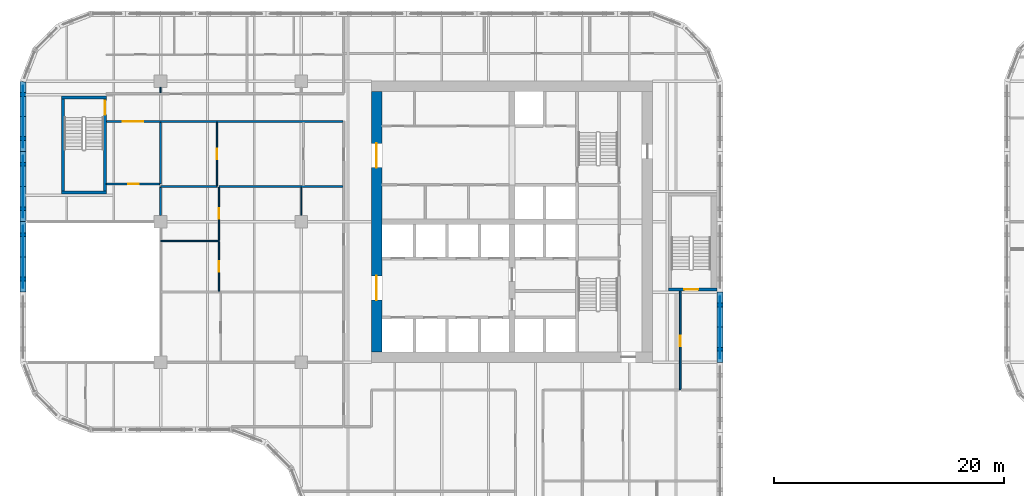
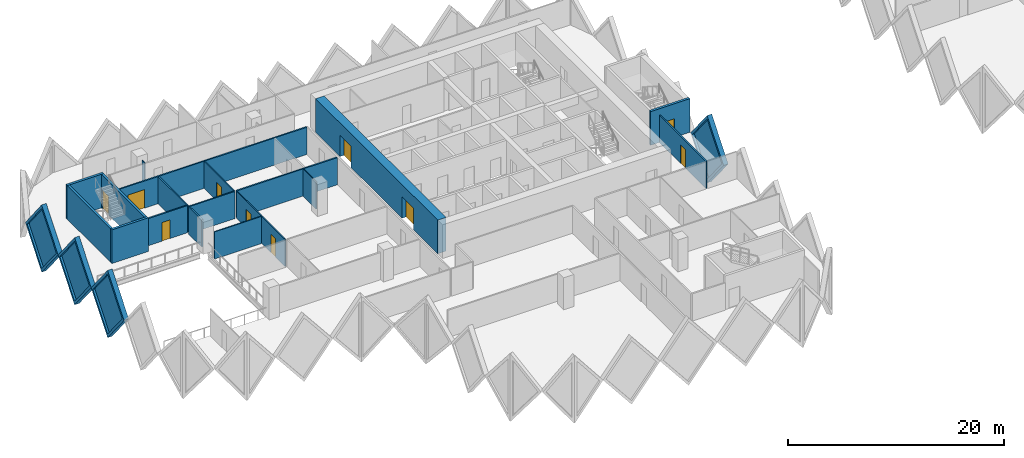
# One storey, part 7 of 18: 23 walls, 10 doors, 4 plates, 14 openings.
"""IFC4 building model written with IfcOpenShell, lengths in metres."""

from ifc_helpers import new_model, si_unit, direction, frame, frame_2d, origin, place, context, subcontext, project, spatial, polyline, rectangle, outline, extrude, faceted_brep, source, transform, mapped, material, layer, layer_set, type_object, element, fill, save


model = new_model("IFC4")

# Units and contexts
model_context = context("Model", 3, precision=1e-05, world=origin(), true_north=direction((0.0, 1.0)))
body_context = subcontext(model_context, "Body", "Model", "MODEL_VIEW")
ifc_project = project(units=[si_unit("LENGTHUNIT", "METRE"), si_unit("AREAUNIT", "SQUARE_METRE"), si_unit("VOLUMEUNIT", "CUBIC_METRE"), si_unit("PLANEANGLEUNIT", "RADIAN"), si_unit("MASSUNIT", "GRAM", prefix="KILO")], contexts=[model_context])

# Site, building, storey
site_placement = place(None, origin())
site = spatial("IfcSite", under=ifc_project, at=site_placement, CompositionType="ELEMENT")
building_placement = place(site_placement, origin())
building = spatial("IfcBuilding", under=site, at=building_placement, Name="Tessera Gate Towers", CompositionType="ELEMENT")
storey_placement = place(building_placement, frame((0.0, 0.0, 56.199951171875)))
storey = spatial("IfcBuildingStorey", under=building, at=storey_placement, Name="L13", CompositionType="ELEMENT", Elevation=56.199951171875)

# Walls
ifc_material_1 = material(Name="Concrete C40/50", Category="concrete")
ifc_layer_1 = layer(ifc_material_1, 0.25)
ifc_layer_set_1 = layer_set([ifc_layer_1], Name="CORE ENCLOSURE WALL 250")
wall_type_1 = type_object("IfcWallType", Name="CORE ENCLOSURE WALL 250", PredefinedType="SOLIDWALL", material=ifc_layer_set_1)
wall_1_placement = place(storey_placement, frame((7.5, 39.125, 0.0), z_axis=(0.0, 0.0, 1.0), x_axis=(-1.0, 0.0, 0.0)))
element("IfcWall", 1, at=wall_1_placement, inside=storey, type_object=wall_type_1, Name="L13 ST3 enclosure wall", PredefinedType="SOLIDWALL", context=body_context, shape_type="SweptSolid", body=[
    extrude(rectangle(XDim=3.89990234375, YDim=0.25, at=frame_2d((1.949951171875, 0.0))), origin(), (0.0, 0.0, 1.0), 3.800048828125),
])
wall_2_placement = place(storey_placement, frame((3.72509765625, 39.25, 0.0), z_axis=(0.0, 0.0, 1.0), x_axis=(0.0, 1.0, 0.0)))
element("IfcWall", 2, at=wall_2_placement, inside=storey, type_object=wall_type_1, Name="L13 ST3 enclosure wall", PredefinedType="SOLIDWALL", context=body_context, shape_type="SweptSolid", body=[
    extrude(rectangle(XDim=8.0, YDim=0.25, at=frame_2d((4.0, 0.0))), origin(), (0.0, 0.0, 1.0), 3.800048828125),
])
wall_3_placement = place(storey_placement, frame((3.60009765625, 47.375, 0.0), z_axis=(0.0, 0.0, 1.0), x_axis=(1.0, 0.0, 0.0)))
element("IfcWall", 3, at=wall_3_placement, inside=storey, type_object=wall_type_1, Name="L13 ST3 enclosure wall", PredefinedType="SOLIDWALL", context=body_context, shape_type="SweptSolid", body=[
    extrude(rectangle(XDim=3.89990234375, YDim=0.25, at=frame_2d((1.949951171875, 0.0))), origin(), (0.0, 0.0, 1.0), 3.800048828125),
])

# Wall, opening, door
wall_4_placement = place(storey_placement, frame((7.375, 47.25, 0.0), z_axis=(0.0, 0.0, 1.0), x_axis=(0.0, -1.0, 0.0)))
wall_4 = element("IfcWall", 4, at=wall_4_placement, inside=storey, type_object=wall_type_1, Name="L13 ST3 enclosure wall", PredefinedType="SOLIDWALL", context=body_context, shape_type="SweptSolid", body=[
    extrude(rectangle(XDim=8.0, YDim=0.25, at=frame_2d((4.0, 0.0))), origin(), (0.0, 0.0, 1.0), 3.800048828125),
])
shared_shape_1 = source(origin(), body_context, "Body", "SweptSolid", [
    extrude(rectangle(XDim=1.199951171875, YDim=2.10009765625, at=frame_2d((0.60009765625, 1.050048828125))), frame((0.0, 0.135009765625, 0.0), z_axis=(0.0, -1.0, 0.0), x_axis=(1.0, 0.0, 0.0)), (0.0, 0.0, 1.0), 0.27001953125),
])
opening_1_placement = place(wall_4_placement, frame((0.14990234375, 0.0, 0.0)))
opening_1 = element("IfcOpeningElement", 5, at=opening_1_placement, cuts=wall_4, Name="Opening SD-ST3-1", PredefinedType="OPENING", context=body_context, shape_type="MappedRepresentation", body=[
    mapped(shared_shape_1, transform((0.0, 0.0, 0.0), scale=1.0)),
])
ifc_material_2 = material(Name="Hollow steel fire door", Category="steel")
door_type_1 = type_object("IfcDoorType", Name="CORE DOOR SD 1200x2100", OperationType="NOTDEFINED", PredefinedType="DOOR", material=ifc_material_2)
shared_shape_2 = source(origin(), body_context, "Body", "SweptSolid", [
    extrude(rectangle(XDim=1.199951171875, YDim=2.10009765625, at=frame_2d((0.60009765625, 1.050048828125))), frame((0.0, 0.02490234375, 0.0), z_axis=(0.0, -1.0, 0.0), x_axis=(1.0, 0.0, 0.0)), (0.0, 0.0, 1.0), 0.050048828125),
])
door_1_placement = place(opening_1_placement, origin())
door_1 = element("IfcDoor", 6, at=door_1_placement, inside=storey, type_object=door_type_1, Name="Stair door", OperationType="SINGLE_SWING_LEFT", OverallHeight=2.10009765625, OverallWidth=1.199951171875, PredefinedType="DOOR", context=body_context, shape_type="MappedRepresentation", body=[
    mapped(shared_shape_2, transform((0.0, 0.0, 0.0), scale=1.0)),
])
fill(opening_1, door_1)

wall_5_placement = place(storey_placement, frame((60.5, 30.72509765625, 0.0), z_axis=(0.0, 0.0, 1.0), x_axis=(-1.0, 0.0, 0.0)))
wall_5 = element("IfcWall", 7, at=wall_5_placement, inside=storey, type_object=wall_type_1, Name="L13 ST5 enclosure wall", PredefinedType="SOLIDWALL", context=body_context, shape_type="SweptSolid", body=[
    extrude(rectangle(XDim=4.199951171875, YDim=0.25, at=frame_2d((2.10009765625, 0.0))), origin(), (0.0, 0.0, 1.0), 3.800048828125),
])
opening_2_placement = place(wall_5_placement, frame((1.64990234375, 0.0, 0.0)))
opening_2 = element("IfcOpeningElement", 8, at=opening_2_placement, cuts=wall_5, Name="Opening SD-ST5-1", PredefinedType="OPENING", context=body_context, shape_type="MappedRepresentation", body=[
    mapped(shared_shape_1, transform((0.0, 0.0, 0.0), scale=1.0)),
])
door_2_placement = place(opening_2_placement, origin())
door_2 = element("IfcDoor", 9, at=door_2_placement, inside=storey, type_object=door_type_1, Name="Stair door", OperationType="SINGLE_SWING_RIGHT", OverallHeight=2.10009765625, OverallWidth=1.199951171875, PredefinedType="DOOR", context=body_context, shape_type="MappedRepresentation", body=[
    mapped(shared_shape_2, transform((0.0, 0.0, 0.0), scale=1.0)),
])
fill(opening_2, door_2)

# Wall, openings, doors
ifc_material_3 = material(Name="Concrete C70/85", Category="concrete")
ifc_layer_2 = layer(ifc_material_3, 0.89990234375)
ifc_layer_set_2 = layer_set([ifc_layer_2], Name="CORE SHEAR WALL 900 C70/85")
wall_type_2 = type_object("IfcWallType", Name="CORE SHEAR WALL 900 C70/85", PredefinedType="SHEAR", material=ifc_layer_set_2)
wall_6_placement = place(storey_placement, frame((30.949951171875, 25.300048828125, 0.0), z_axis=(0.0, 0.0, 1.0), x_axis=(0.0, 1.0, 0.0)))
wall_6 = element("IfcWall", 10, at=wall_6_placement, inside=storey, type_object=wall_type_2, Name="Core wall W L13", PredefinedType="SHEAR", context=body_context, shape_type="SweptSolid", body=[
    extrude(rectangle(XDim=22.599853515625, YDim=0.89990234375, at=frame_2d((11.2998046875, 0.0))), origin(), (0.0, 0.0, 1.0), 3.800048828125),
])
shared_shape_3 = source(origin(), body_context, "Body", "SweptSolid", [
    extrude(rectangle(XDim=2.10009765625, YDim=2.39990234375, at=frame_2d((1.050048828125, 1.199951171875))), frame((0.0, 0.4599609375, 0.0), z_axis=(0.0, -1.0, 0.0), x_axis=(1.0, 0.0, 0.0)), (0.0, 0.0, 1.0), 0.919921875),
])
opening_3_placement = place(wall_6_placement, frame((4.5, 0.0, 0.0)))
opening_3 = element("IfcOpeningElement", 11, at=opening_3_placement, cuts=wall_6, Name="Opening DD-T1-09-02", PredefinedType="OPENING", context=body_context, shape_type="MappedRepresentation", body=[
    mapped(shared_shape_3, transform((0.0, 0.0, 0.0), scale=1.0)),
])
opening_4_placement = place(wall_6_placement, frame((16.0, 0.0, 0.0)))
opening_4 = element("IfcOpeningElement", 12, at=opening_4_placement, cuts=wall_6, Name="Opening DD-T1-09-03", PredefinedType="OPENING", context=body_context, shape_type="MappedRepresentation", body=[
    mapped(shared_shape_3, transform((0.0, 0.0, 0.0), scale=1.0)),
])
ifc_material_4 = material(Name="Hollow steel fire door", Category="steel")
door_type_2 = type_object("IfcDoorType", Name="CORE DOOR DD 2100x2400", OperationType="NOTDEFINED", PredefinedType="DOOR", material=ifc_material_4)
shared_shape_4 = source(origin(), body_context, "Body", "SweptSolid", [
    extrude(rectangle(XDim=2.10009765625, YDim=2.39990234375, at=frame_2d((1.050048828125, 1.199951171875))), frame((0.0, 0.02490234375, 0.0), z_axis=(0.0, -1.0, 0.0), x_axis=(1.0, 0.0, 0.0)), (0.0, 0.0, 1.0), 0.050048828125),
])
door_3_placement = place(opening_3_placement, origin())
door_3 = element("IfcDoor", 13, at=door_3_placement, inside=storey, type_object=door_type_2, Name="Core entrance door", OperationType="DOUBLE_DOOR_SINGLE_SWING", OverallHeight=2.39990234375, OverallWidth=2.10009765625, PredefinedType="DOOR", context=body_context, shape_type="MappedRepresentation", body=[
    mapped(shared_shape_4, transform((0.0, 0.0, 0.0), scale=1.0)),
])
fill(opening_3, door_3)
door_4_placement = place(opening_4_placement, origin())
door_4 = element("IfcDoor", 14, at=door_4_placement, inside=storey, type_object=door_type_2, Name="Core entrance door", OperationType="DOUBLE_DOOR_SINGLE_SWING", OverallHeight=2.39990234375, OverallWidth=2.10009765625, PredefinedType="DOOR", context=body_context, shape_type="MappedRepresentation", body=[
    mapped(shared_shape_4, transform((0.0, 0.0, 0.0), scale=1.0)),
])
fill(opening_4, door_4)

# Wall, opening, door
ifc_material_5 = material(Name="Gypsum board on steel studs, mineral wool", Category="steel")
ifc_layer_3 = layer(ifc_material_5, 0.14990234375)
ifc_layer_set_3 = layer_set([ifc_layer_3], Name="CORRIDOR WALL 150")
wall_type_3 = type_object("IfcWallType", Name="CORRIDOR WALL 150", PredefinedType="PARTITIONING", material=ifc_layer_set_3)
wall_7_placement = place(storey_placement, frame((57.300048828125, 30.60009765625, 0.0), z_axis=(0.0, 0.0, 1.0), x_axis=(0.0, -1.0, 0.0)))
wall_7 = element("IfcWall", 15, at=wall_7_placement, inside=storey, type_object=wall_type_3, Name="T1-L13-PW-019", PredefinedType="PARTITIONING", context=body_context, shape_type="SweptSolid", body=[
    extrude(rectangle(XDim=8.60009765625, YDim=0.14990234375, at=frame_2d((4.300048828125, 0.0))), origin(), (0.0, 0.0, 1.0), 3.067138671875),
])
shared_shape_5 = source(origin(), body_context, "Body", "SweptSolid", [
    extrude(rectangle(XDim=0.89990234375, YDim=2.10009765625, at=frame_2d((0.449951171875, 1.050048828125))), frame((0.0, 0.0849609375, 0.0), z_axis=(0.0, -1.0, 0.0), x_axis=(1.0, 0.0, 0.0)), (0.0, 0.0, 1.0), 0.169921875),
])
opening_5_placement = place(wall_7_placement, frame((3.89990234375, 0.0, 0.0)))
opening_5 = element("IfcOpeningElement", 16, at=opening_5_placement, cuts=wall_7, Name="Opening D890FD60-A05-04", PredefinedType="OPENING", context=body_context, shape_type="MappedRepresentation", body=[
    mapped(shared_shape_5, transform((0.0, 0.0, 0.0), scale=1.0)),
])
ifc_material_6 = material(Name="Timber door leaf in steel frame", Category="steel")
door_type_3 = type_object("IfcDoorType", Name="CORRIDOR DOOR 900 FD60", OperationType="NOTDEFINED", PredefinedType="DOOR", material=ifc_material_6)
shared_shape_6 = source(origin(), body_context, "Body", "SweptSolid", [
    extrude(rectangle(XDim=0.89990234375, YDim=2.10009765625, at=frame_2d((0.449951171875, 1.050048828125))), frame((0.0, 0.02490234375, 0.0), z_axis=(0.0, -1.0, 0.0), x_axis=(1.0, 0.0, 0.0)), (0.0, 0.0, 1.0), 0.050048828125),
])
door_5_placement = place(opening_5_placement, origin())
door_5 = element("IfcDoor", 17, at=door_5_placement, inside=storey, type_object=door_type_3, Name="T1-L13-PD-021", OperationType="SINGLE_SWING_RIGHT", OverallHeight=2.10009765625, OverallWidth=0.89990234375, PredefinedType="DOOR", context=body_context, shape_type="MappedRepresentation", body=[
    mapped(shared_shape_6, transform((0.0, 0.0, 0.0), scale=1.0)),
])
fill(opening_5, door_5)

wall_8_placement = place(storey_placement, frame((28.02392578125, 45.300048828125, 0.0), z_axis=(0.0, 0.0, 1.0), x_axis=(-1.0, 0.0, 0.0)))
wall_8 = element("IfcWall", 18, at=wall_8_placement, inside=storey, type_object=wall_type_3, Name="T1-L13-PW-037", PredefinedType="PARTITIONING", context=body_context, shape_type="SweptSolid", body=[
    extrude(rectangle(XDim=20.52392578125, YDim=0.14990234375, at=frame_2d((10.261962890625, 0.0))), origin(), (0.0, 0.0, 1.0), 3.067138671875),
])
shared_shape_7 = source(origin(), body_context, "Body", "SweptSolid", [
    extrude(rectangle(XDim=1.800048828125, YDim=2.10009765625, at=frame_2d((0.89990234375, 1.050048828125))), frame((0.0, 0.0849609375, 0.0), z_axis=(0.0, -1.0, 0.0), x_axis=(1.0, 0.0, 0.0)), (0.0, 0.0, 1.0), 0.169921875),
])
opening_6_placement = place(wall_8_placement, frame((17.323974609375, 0.0, 0.0)))
opening_6 = element("IfcOpeningElement", 19, at=opening_6_placement, cuts=wall_8, Name="Opening D2180FD60-A05-01", PredefinedType="OPENING", context=body_context, shape_type="MappedRepresentation", body=[
    mapped(shared_shape_7, transform((0.0, 0.0, 0.0), scale=1.0)),
])
ifc_material_7 = material(Name="Timber door leaf in steel frame", Category="steel")
door_type_4 = type_object("IfcDoorType", Name="TENANCY ENTRANCE DOUBLE DOOR 1800 FD60", OperationType="NOTDEFINED", PredefinedType="DOOR", material=ifc_material_7)
shared_shape_8 = source(origin(), body_context, "Body", "SweptSolid", [
    extrude(rectangle(XDim=1.800048828125, YDim=2.10009765625, at=frame_2d((0.89990234375, 1.050048828125))), frame((0.0, 0.02490234375, 0.0), z_axis=(0.0, -1.0, 0.0), x_axis=(1.0, 0.0, 0.0)), (0.0, 0.0, 1.0), 0.050048828125),
])
door_6_placement = place(opening_6_placement, origin())
door_6 = element("IfcDoor", 20, at=door_6_placement, inside=storey, type_object=door_type_4, Name="T1-L13-PD-007", OperationType="DOUBLE_DOOR_SINGLE_SWING", OverallHeight=2.10009765625, OverallWidth=1.800048828125, PredefinedType="DOOR", context=body_context, shape_type="MappedRepresentation", body=[
    mapped(shared_shape_8, transform((0.0, 0.0, 0.0), scale=1.0)),
])
fill(opening_6, door_6)

ifc_material_8 = material(Name="Gypsum board on steel studs", Category="steel")
ifc_layer_4 = layer(ifc_material_8, 0.10009765625)
ifc_layer_set_4 = layer_set([ifc_layer_4], Name="PARTITION 100")
wall_type_4 = type_object("IfcWallType", Name="PARTITION 100", PredefinedType="PARTITIONING", material=ifc_layer_set_4)
wall_9_placement = place(storey_placement, frame((17.27490234375, 30.575927734375, 0.0), z_axis=(0.0, 0.0, 1.0), x_axis=(0.0, 1.0, 0.0)))
wall_9 = element("IfcWall", 21, at=wall_9_placement, inside=storey, type_object=wall_type_4, Name="T1-L13-PW-026", PredefinedType="PARTITIONING", context=body_context, shape_type="SweptSolid", body=[
    extrude(rectangle(XDim=4.29345703125, YDim=0.10009765625, at=frame_2d((2.146728515625, 0.0))), origin(), (0.0, 0.0, 1.0), 3.067138671875),
])
shared_shape_9 = source(origin(), body_context, "Body", "SweptSolid", [
    extrude(rectangle(XDim=0.89990234375, YDim=2.10009765625, at=frame_2d((0.449951171875, 1.050048828125))), frame((0.0, 0.06005859375, 0.0), z_axis=(0.0, -1.0, 0.0), x_axis=(1.0, 0.0, 0.0)), (0.0, 0.0, 1.0), 0.1201171875),
])
opening_7_placement = place(wall_9_placement, frame((1.699951171875, 0.0, 0.0)))
opening_7 = element("IfcOpeningElement", 22, at=opening_7_placement, cuts=wall_9, Name="Opening D190-A05-03", PredefinedType="OPENING", context=body_context, shape_type="MappedRepresentation", body=[
    mapped(shared_shape_9, transform((0.0, 0.0, 0.0), scale=1.0)),
])
ifc_material_9 = material(Name="Timber door leaf in steel frame", Category="steel")
door_type_5 = type_object("IfcDoorType", Name="INTERNAL DOOR 900 NOT RATED", OperationType="NOTDEFINED", PredefinedType="DOOR", material=ifc_material_9)
door_7_placement = place(opening_7_placement, origin())
door_7 = element("IfcDoor", 23, at=door_7_placement, inside=storey, type_object=door_type_5, Name="T1-L13-PD-004", OperationType="SINGLE_SWING_LEFT", OverallHeight=2.10009765625, OverallWidth=0.89990234375, PredefinedType="DOOR", context=body_context, shape_type="MappedRepresentation", body=[
    mapped(shared_shape_6, transform((0.0, 0.0, 0.0), scale=1.0)),
])
fill(opening_7, door_7)

# Wall
wall_10_placement = place(storey_placement, frame((12.199951171875, 34.919921875, 0.0), z_axis=(0.0, 0.0, 1.0), x_axis=(1.0, 0.0, 0.0)))
element("IfcWall", 24, at=wall_10_placement, inside=storey, type_object=wall_type_4, Name="T1-L13-PW-027", PredefinedType="PARTITIONING", context=body_context, shape_type="SweptSolid", body=[
    extrude(rectangle(XDim=5.074951171875, YDim=0.10009765625, at=frame_2d((2.53759765625, 0.0))), origin(), (0.0, 0.0, 1.0), 3.067138671875),
])

# Wall, opening, door
wall_11_placement = place(storey_placement, frame((17.27490234375, 34.97119140625, 0.0), z_axis=(0.0, 0.0, 1.0), x_axis=(0.0, 1.0, 0.0)))
wall_11 = element("IfcWall", 25, at=wall_11_placement, inside=storey, type_object=wall_type_4, Name="T1-L13-PW-028", PredefinedType="PARTITIONING", context=body_context, shape_type="SweptSolid", body=[
    extrude(rectangle(XDim=4.602783203125, YDim=0.10009765625, at=frame_2d((2.30126953125, 0.0))), origin(), (0.0, 0.0, 1.0), 3.067138671875),
])
opening_8_placement = place(wall_11_placement, frame((1.89990234375, 0.0, 0.0)))
opening_8 = element("IfcOpeningElement", 26, at=opening_8_placement, cuts=wall_11, Name="Opening D190-A05-04", PredefinedType="OPENING", context=body_context, shape_type="MappedRepresentation", body=[
    mapped(shared_shape_9, transform((0.0, 0.0, 0.0), scale=1.0)),
])
door_8_placement = place(opening_8_placement, origin())
door_8 = element("IfcDoor", 27, at=door_8_placement, inside=storey, type_object=door_type_5, Name="T1-L13-PD-005", OperationType="SINGLE_SWING_LEFT", OverallHeight=2.10009765625, OverallWidth=0.89990234375, PredefinedType="DOOR", context=body_context, shape_type="MappedRepresentation", body=[
    mapped(shared_shape_6, transform((0.0, 0.0, 0.0), scale=1.0)),
])
fill(opening_8, door_8)

# Wall
wall_12_placement = place(storey_placement, frame((24.39990234375, 37.14990234375, 0.0), z_axis=(0.0, 0.0, 1.0), x_axis=(0.0, 1.0, 0.0)))
element("IfcWall", 28, at=wall_12_placement, inside=storey, type_object=wall_type_4, Name="T1-L13-PW-030", PredefinedType="PARTITIONING", context=body_context, shape_type="SweptSolid", body=[
    extrude(rectangle(XDim=2.425048828125, YDim=0.10009765625, at=frame_2d((1.21240234375, 0.0))), origin(), (0.0, 0.0, 1.0), 3.067138671875),
])

# Wall, opening, door
wall_13_placement = place(storey_placement, frame((17.10009765625, 39.72607421875, 0.0), z_axis=(0.0, 0.0, 1.0), x_axis=(0.0, 1.0, 0.0)))
wall_13 = element("IfcWall", 29, at=wall_13_placement, inside=storey, type_object=wall_type_4, Name="T1-L13-PW-033", PredefinedType="PARTITIONING", context=body_context, shape_type="SweptSolid", body=[
    extrude(rectangle(XDim=5.498046875, YDim=0.10009765625, at=frame_2d((2.7490234375, 0.0))), origin(), (0.0, 0.0, 1.0), 3.067138671875),
])
opening_9_placement = place(wall_13_placement, frame((2.300048828125, 0.0, 0.0)))
opening_9 = element("IfcOpeningElement", 30, at=opening_9_placement, cuts=wall_13, Name="Opening D190-A05-07", PredefinedType="OPENING", context=body_context, shape_type="MappedRepresentation", body=[
    mapped(shared_shape_9, transform((0.0, 0.0, 0.0), scale=1.0)),
])
door_9_placement = place(opening_9_placement, origin())
door_9 = element("IfcDoor", 31, at=door_9_placement, inside=storey, type_object=door_type_5, Name="T1-L13-PD-010", OperationType="SINGLE_SWING_LEFT", OverallHeight=2.10009765625, OverallWidth=0.89990234375, PredefinedType="DOOR", context=body_context, shape_type="MappedRepresentation", body=[
    mapped(shared_shape_6, transform((0.0, 0.0, 0.0), scale=1.0)),
])
fill(opening_9, door_9)

# Walls
wall_14_placement = place(storey_placement, frame((12.199951171875, 48.25, 0.0), z_axis=(0.0, 0.0, 1.0), x_axis=(0.0, -1.0, 0.0)))
element("IfcWall", 32, at=wall_14_placement, inside=storey, type_object=wall_type_4, Name="T1-L13-PW-041", PredefinedType="PARTITIONING", context=body_context, shape_type="SweptSolid", body=[
    extrude(rectangle(XDim=0.47509765625, YDim=0.10009765625, at=frame_2d((0.237548828125, 0.0))), origin(), (0.0, 0.0, 1.0), 3.067138671875),
])
ifc_material_10 = material(Name="Gypsum board on steel studs, mineral wool", Category="steel")
ifc_layer_5 = layer(ifc_material_10, 0.14990234375)
ifc_layer_set_5 = layer_set([ifc_layer_5], Name="TENANCY WALL 150")
wall_type_5 = type_object("IfcWallType", Name="TENANCY WALL 150", PredefinedType="PARTITIONING", material=ifc_layer_set_5)
wall_15_placement = place(storey_placement, frame((12.199951171875, 37.15087890625, 0.0), z_axis=(0.0, 0.0, 1.0), x_axis=(0.0, 1.0, 0.0)))
element("IfcWall", 33, at=wall_15_placement, inside=storey, type_object=wall_type_5, Name="T1-L13-PW-029", PredefinedType="PARTITIONING", context=body_context, shape_type="SweptSolid", body=[
    extrude(rectangle(XDim=2.423095703125, YDim=0.14990234375, at=frame_2d((1.21142578125, 0.0))), origin(), (0.0, 0.0, 1.0), 3.067138671875),
])
wall_16_placement = place(storey_placement, frame((12.199951171875, 39.64990234375, 0.0), z_axis=(0.0, 0.0, 1.0), x_axis=(1.0, 0.0, 0.0)))
element("IfcWall", 34, at=wall_16_placement, inside=storey, type_object=wall_type_5, Name="T1-L13-PW-031", PredefinedType="PARTITIONING", context=body_context, shape_type="SweptSolid", body=[
    extrude(rectangle(XDim=4.900146484375, YDim=0.14990234375, at=frame_2d((2.4501953125, 0.0))), origin(), (0.0, 0.0, 1.0), 3.067138671875),
])
wall_17_placement = place(storey_placement, frame((17.27490234375, 39.64990234375, 0.0), z_axis=(0.0, 0.0, 1.0), x_axis=(1.0, 0.0, 0.0)))
element("IfcWall", 35, at=wall_17_placement, inside=storey, type_object=wall_type_5, Name="T1-L13-PW-032", PredefinedType="PARTITIONING", context=body_context, shape_type="SweptSolid", body=[
    extrude(rectangle(XDim=10.7490234375, YDim=0.14990234375, at=frame_2d((5.37451171875, 0.0))), origin(), (0.0, 0.0, 1.0), 3.067138671875),
])

# Wall, opening, door
wall_18_placement = place(storey_placement, frame((12.1240234375, 39.875, 0.0), z_axis=(0.0, 0.0, 1.0), x_axis=(-1.0, 0.0, 0.0)))
wall_18 = element("IfcWall", 36, at=wall_18_placement, inside=storey, type_object=wall_type_5, Name="T1-L13-PW-035", PredefinedType="PARTITIONING", context=body_context, shape_type="SweptSolid", body=[
    extrude(rectangle(XDim=4.6240234375, YDim=0.14990234375, at=frame_2d((2.31201171875, 0.0))), origin(), (0.0, 0.0, 1.0), 3.067138671875),
])
opening_10_placement = place(wall_18_placement, frame((1.823974609375, 0.0, 0.0)))
opening_10 = element("IfcOpeningElement", 37, at=opening_10_placement, cuts=wall_18, Name="Opening D190-A05-05", PredefinedType="OPENING", context=body_context, shape_type="MappedRepresentation", body=[
    mapped(shared_shape_5, transform((0.0, 0.0, 0.0), scale=1.0)),
])
door_10_placement = place(opening_10_placement, origin())
door_10 = element("IfcDoor", 38, at=door_10_placement, inside=storey, type_object=door_type_5, Name="T1-L13-PD-006", OperationType="SINGLE_SWING_RIGHT", OverallHeight=2.10009765625, OverallWidth=0.89990234375, PredefinedType="DOOR", context=body_context, shape_type="MappedRepresentation", body=[
    mapped(shared_shape_6, transform((0.0, 0.0, 0.0), scale=1.0)),
])
fill(opening_10, door_10)

# Wall
wall_19_placement = place(storey_placement, frame((12.199951171875, 39.875, 0.0), z_axis=(0.0, 0.0, 1.0), x_axis=(0.0, 1.0, 0.0)))
element("IfcWall", 39, at=wall_19_placement, inside=storey, type_object=wall_type_5, Name="T1-L13-PW-036", PredefinedType="PARTITIONING", context=body_context, shape_type="SweptSolid", body=[
    extrude(rectangle(XDim=5.34912109375, YDim=0.14990234375, at=frame_2d((2.674560546875, 0.0))), origin(), (0.0, 0.0, 1.0), 3.067138671875),
])

# Wall, opening, plate
ifc_material_11 = material(Name="Precast concrete C60/75 white", Category="concrete")
ifc_layer_6 = layer(ifc_material_11, 0.5)
ifc_layer_set_6 = layer_set([ifc_layer_6], Name="TS1 tessera")
wall_type_6 = type_object("IfcWallType", Name="TS1 tessera", PredefinedType="SOLIDWALL", material=ifc_layer_set_6)
shared_shape_10 = source(origin(), body_context, "Body", "Brep", [
    faceted_brep([(3.00341796875, -0.25, 0.0), (6.053466796875, -0.25, 3.800048828125), (3.00341796875, -0.25, 7.60009765625), (0.0, -0.25, 3.800048828125), (0.046630859375, 0.25, 3.85888671875), (3.00341796875, 0.25, 7.60009765625), (6.053466796875, 0.25, 3.800048828125), (3.00341796875, 0.25, 0.0), (0.046630859375, 0.25, 3.7412109375), (0.0, 0.0, 3.800048828125)], [[[0, 1, 2, 3]], [[4, 5, 6, 7, 8]], [[7, 6, 1, 0]], [[6, 5, 2, 1]], [[5, 4, 9, 3, 2]], [[8, 7, 0, 3, 9]], [[8, 9, 4]]]),
])
wall_20_placement = place(storey_placement, frame((0.25, 48.75341796875, -3.800048828125), z_axis=(0.0, 0.0, 1.0), x_axis=(0.0, -1.0, 0.0)))
wall_20 = element("IfcWall", 40, at=wall_20_placement, inside=storey, type_object=wall_type_6, Name="Precast tessera T1 TS1-0201", PredefinedType="SOLIDWALL", context=body_context, shape_type="MappedRepresentation", body=[
    mapped(shared_shape_10, transform((0.0, 0.0, 0.0), scale=1.0)),
])
shared_shape_11 = source(origin(), body_context, "Body", "SweptSolid", [
    extrude(outline(polyline([(3.0048828125, 0.4013671875), (5.73291015625, 3.800048828125), (3.0048828125, 7.19873046875), (0.318603515625, 3.800048828125), (3.0048828125, 0.4013671875)])), frame((0.0, 0.260009765625, 0.0), z_axis=(0.0, -1.0, 0.0), x_axis=(1.0, 0.0, 0.0)), (0.0, 0.0, 1.0), 0.52001953125),
])
opening_11_placement = place(wall_20_placement, origin())
opening_11 = element("IfcOpeningElement", 41, at=opening_11_placement, cuts=wall_20, Name="Opening T1-PL2-0407", PredefinedType="OPENING", context=body_context, shape_type="MappedRepresentation", body=[
    mapped(shared_shape_11, transform((0.0, 0.0, 0.0), scale=1.0)),
])
ifc_material_12 = material(Name="Low-e laminated glass", Category="glass")
ifc_layer_7 = layer(ifc_material_12, 0.06005859375)
ifc_layer_set_7 = layer_set([ifc_layer_7], Name="PL2 rhombic pane")
plate_type = type_object("IfcPlateType", Name="PL2 rhombic pane", PredefinedType="SHEET", material=ifc_layer_set_7)
shared_shape_12 = source(origin(), body_context, "Body", "SweptSolid", [
    extrude(outline(polyline([(3.0048828125, 0.4013671875), (5.73291015625, 3.800048828125), (3.0048828125, 7.19873046875), (0.318603515625, 3.800048828125), (3.0048828125, 0.4013671875)])), frame((0.0, 0.030029296875, 0.0), z_axis=(0.0, -1.0, 0.0), x_axis=(1.0, 0.0, 0.0)), (0.0, 0.0, 1.0), 0.06005859375),
])
plate_1_placement = place(opening_11_placement, origin())
plate_1 = element("IfcPlate", 42, at=plate_1_placement, inside=storey, type_object=plate_type, Name="Glass pane T1 PL2-0407", PredefinedType="SHEET", context=body_context, shape_type="MappedRepresentation", body=[
    mapped(shared_shape_12, transform((0.0, 0.0, 0.0), scale=1.0)),
])
fill(opening_11, plate_1)

shared_shape_13 = source(origin(), body_context, "Body", "Brep", [
    faceted_brep([(3.050048828125, -0.25, 0.0), (6.099853515625, -0.25, 3.7998046875), (6.099853515625, -0.25, 3.80029296875), (3.050048828125, -0.25, 7.60009765625), (0.0, -0.25, 3.800048828125), (0.0, 0.25, 3.800048828125), (3.050048828125, 0.25, 7.60009765625), (6.099853515625, 0.25, 3.80029296875), (6.099853515625, 0.25, 3.7998046875), (3.050048828125, 0.25, 0.0)], [[[0, 1, 2, 3, 4]], [[5, 6, 7, 8, 9]], [[9, 8, 1, 0]], [[7, 6, 3, 2]], [[6, 5, 4, 3]], [[5, 9, 0, 4]], [[1, 8, 7, 2]]]),
])
wall_21_placement = place(storey_placement, frame((0.25, 42.699951171875, -3.800048828125), z_axis=(0.0, 0.0, 1.0), x_axis=(0.0, -1.0, 0.0)))
wall_21 = element("IfcWall", 43, at=wall_21_placement, inside=storey, type_object=wall_type_6, Name="Precast tessera T1 TS1-0202", PredefinedType="SOLIDWALL", context=body_context, shape_type="MappedRepresentation", body=[
    mapped(shared_shape_13, transform((0.0, 0.0, 0.0), scale=1.0)),
])
shared_shape_14 = source(origin(), body_context, "Body", "SweptSolid", [
    extrude(outline(polyline([(3.050048828125, 0.3994140625), (5.779541015625, 3.800048828125), (3.050048828125, 7.20068359375), (0.320556640625, 3.800048828125), (3.050048828125, 0.3994140625)])), frame((0.0, 0.260009765625, 0.0), z_axis=(0.0, -1.0, 0.0), x_axis=(1.0, 0.0, 0.0)), (0.0, 0.0, 1.0), 0.52001953125),
])
opening_12_placement = place(wall_21_placement, origin())
opening_12 = element("IfcOpeningElement", 44, at=opening_12_placement, cuts=wall_21, Name="Opening T1-PL2-0408", PredefinedType="OPENING", context=body_context, shape_type="MappedRepresentation", body=[
    mapped(shared_shape_14, transform((0.0, 0.0, 0.0), scale=1.0)),
])
shared_shape_15 = source(origin(), body_context, "Body", "SweptSolid", [
    extrude(outline(polyline([(3.050048828125, 0.3994140625), (5.779541015625, 3.800048828125), (3.050048828125, 7.20068359375), (0.320556640625, 3.800048828125), (3.050048828125, 0.3994140625)])), frame((0.0, 0.030029296875, 0.0), z_axis=(0.0, -1.0, 0.0), x_axis=(1.0, 0.0, 0.0)), (0.0, 0.0, 1.0), 0.06005859375),
])
plate_2_placement = place(opening_12_placement, origin())
plate_2 = element("IfcPlate", 45, at=plate_2_placement, inside=storey, type_object=plate_type, Name="Glass pane T1 PL2-0408", PredefinedType="SHEET", context=body_context, shape_type="MappedRepresentation", body=[
    mapped(shared_shape_15, transform((0.0, 0.0, 0.0), scale=1.0)),
])
fill(opening_12, plate_2)

shared_shape_16 = source(origin(), body_context, "Body", "SweptSolid", [
    extrude(outline(polyline([(3.050048828125, 0.0), (6.10009765625, 3.800048828125), (3.050048828125, 7.60009765625), (0.0, 3.800048828125), (3.050048828125, 0.0)])), frame((0.0, 0.25, 0.0), z_axis=(0.0, -1.0, 0.0), x_axis=(1.0, 0.0, 0.0)), (0.0, 0.0, 1.0), 0.5),
])
wall_22_placement = place(storey_placement, frame((60.75, 24.39990234375, -3.800048828125), z_axis=(0.0, 0.0, 1.0), x_axis=(0.0, 1.0, 0.0)))
wall_22 = element("IfcWall", 46, at=wall_22_placement, inside=storey, type_object=wall_type_6, Name="Precast tessera T1 TS1-0190", PredefinedType="SOLIDWALL", context=body_context, shape_type="MappedRepresentation", body=[
    mapped(shared_shape_16, transform((0.0, 0.0, 0.0), scale=1.0)),
])
opening_13_placement = place(wall_22_placement, origin())
opening_13 = element("IfcOpeningElement", 47, at=opening_13_placement, cuts=wall_22, Name="Opening T1-PL2-0388", PredefinedType="OPENING", context=body_context, shape_type="MappedRepresentation", body=[
    mapped(shared_shape_14, transform((0.0, 0.0, 0.0), scale=1.0)),
])
plate_3_placement = place(opening_13_placement, origin())
plate_3 = element("IfcPlate", 48, at=plate_3_placement, inside=storey, type_object=plate_type, Name="Glass pane T1 PL2-0388", PredefinedType="SHEET", context=body_context, shape_type="MappedRepresentation", body=[
    mapped(shared_shape_15, transform((0.0, 0.0, 0.0), scale=1.0)),
])
fill(opening_13, plate_3)

wall_23_placement = place(storey_placement, frame((0.25, 36.60009765625, -3.800048828125), z_axis=(0.0, 0.0, 1.0), x_axis=(0.0, -1.0, 0.0)))
wall_23 = element("IfcWall", 49, at=wall_23_placement, inside=storey, type_object=wall_type_6, Name="Precast tessera T1 TS1-0203", PredefinedType="SOLIDWALL", context=body_context, shape_type="MappedRepresentation", body=[
    mapped(shared_shape_16, transform((0.0, 0.0, 0.0), scale=1.0)),
])
opening_14_placement = place(wall_23_placement, origin())
opening_14 = element("IfcOpeningElement", 50, at=opening_14_placement, cuts=wall_23, Name="Opening T1-PL2-0409", PredefinedType="OPENING", context=body_context, shape_type="MappedRepresentation", body=[
    mapped(shared_shape_14, transform((0.0, 0.0, 0.0), scale=1.0)),
])
plate_4_placement = place(opening_14_placement, origin())
plate_4 = element("IfcPlate", 51, at=plate_4_placement, inside=storey, type_object=plate_type, Name="Glass pane T1 PL2-0409", PredefinedType="SHEET", context=body_context, shape_type="MappedRepresentation", body=[
    mapped(shared_shape_15, transform((0.0, 0.0, 0.0), scale=1.0)),
])
fill(opening_14, plate_4)

save(model, "model.ifc")
